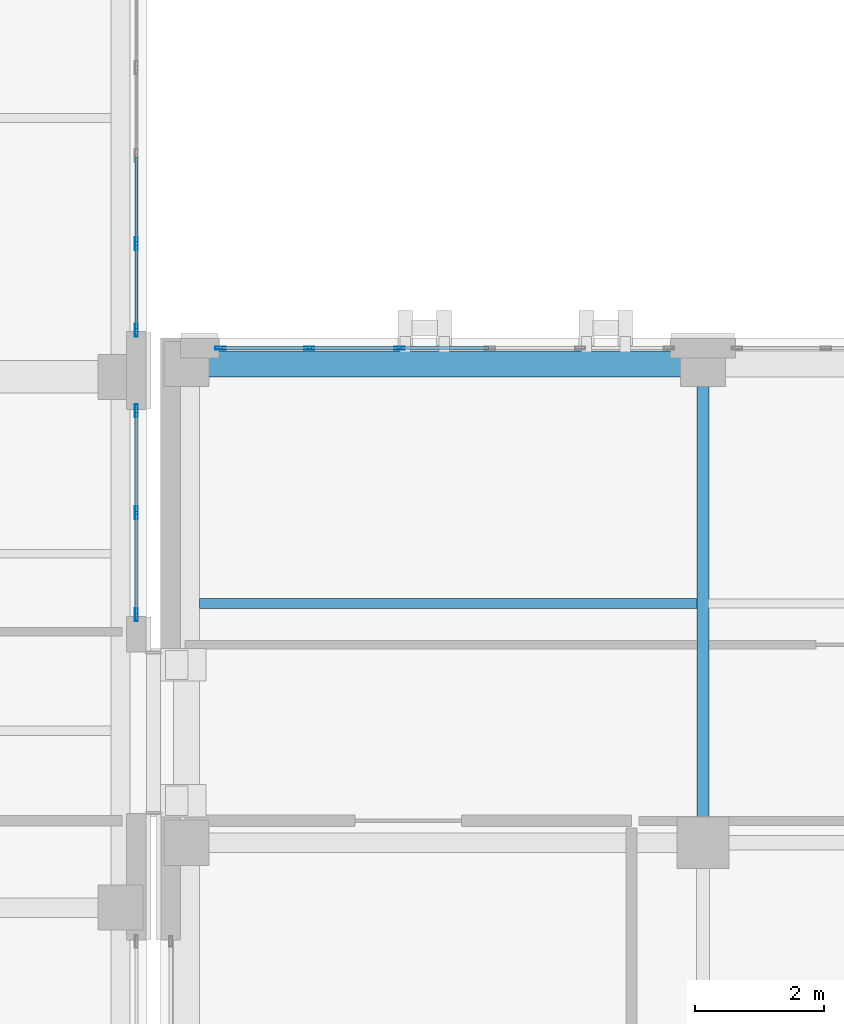
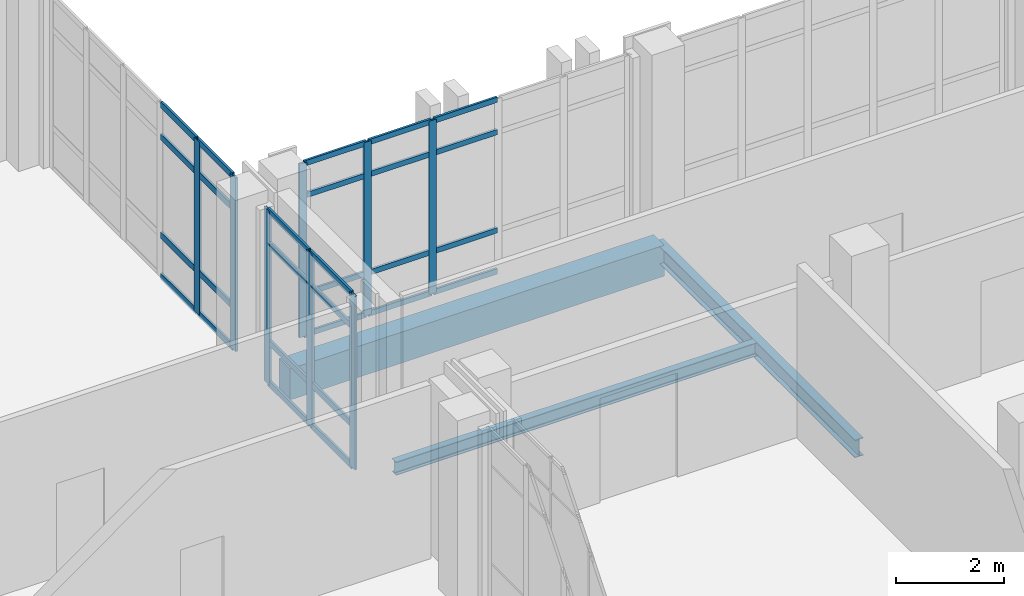
# One storey, part 53 of 193: 36 members, 3 beams, 3 elements without a shape of their own.
"""IFC4 building model written with IfcOpenShell, lengths in metres."""

import ifcopenshell
import ifcopenshell.guid

model = None  # the IFC model being written
_history = None  # IfcOwnerHistory: only IFC2X3 demands one
_inside = {}  # id of a spatial element -> (the spatial element, [elements in it])
_under = {}  # id of a project, library or spatial element -> (it, [spatial elements below it])
_declared = {}  # id of a project -> (the project, [libraries it declares])
_typed = {}  # id of a type object -> (the type object, [elements of that type])
_made_of = {}  # id of a material, layer set ... -> (it, [elements and type objects made of it])


def new_model(schema):
    """Start an empty IFC model of exactly this schema.

    Asked for "IFC4X3", IfcOpenShell would pick the latest addendum, in which some entities
    have other attributes; the version numbers below select the first issue.
    IFC2X3 requires an IfcOwnerHistory on every rooted entity: one is made here for all.
    """
    global model, _history
    if schema == "IFC4X3":
        model = ifcopenshell.file(schema_version=(4, 3, 0, 0))
    else:
        model = ifcopenshell.file(schema=schema)
    _inside.clear()
    _under.clear()
    _declared.clear()
    _typed.clear()
    _made_of.clear()
    _history = None
    if model.schema == "IFC2X3":
        org = make("IfcOrganization", Name="unknown")
        user = make(
            "IfcPersonAndOrganization",
            ThePerson=make("IfcPerson", FamilyName="unknown"),
            TheOrganization=org,
        )
        app = make(
            "IfcApplication",
            ApplicationDeveloper=org,
            Version="unknown",
            ApplicationFullName="unknown",
            ApplicationIdentifier="unknown",
        )
        _history = make(
            "IfcOwnerHistory",
            OwningUser=user,
            OwningApplication=app,
            ChangeAction="ADDED",
            CreationDate=0,
        )
    return model


def make(cls, **values):
    """One entity of the class cls with the attributes given. An attribute that is None is left unset."""
    return model.create_entity(
        cls, **{name: value for name, value in values.items() if value is not None}
    )


def rooted(cls, **values):
    """An entity with a GlobalId (a new one), such as an element, a storey or a relation."""
    return make(cls, GlobalId=ifcopenshell.guid.new(), OwnerHistory=_history, **values)


def si_unit(unit_type, name, prefix=None):
    """IfcSIUnit, for example si_unit("LENGTHUNIT", "METRE", prefix="MILLI")."""
    return make("IfcSIUnit", UnitType=unit_type, Prefix=prefix, Name=name)


def assignment(units):
    """IfcUnitAssignment: the units of a project."""
    return None if units is None else make("IfcUnitAssignment", Units=units)


def point(xyz):
    """IfcCartesianPoint."""
    return None if xyz is None else make("IfcCartesianPoint", Coordinates=xyz)


def direction(xyz):
    """IfcDirection."""
    return None if xyz is None else make("IfcDirection", DirectionRatios=xyz)


def frame(location, z_axis=None, x_axis=None):
    """IfcAxis2Placement3D, a coordinate frame: its origin and axes. An axis left out is left unset."""
    return make(
        "IfcAxis2Placement3D",
        Location=point(location),
        Axis=direction(z_axis),
        RefDirection=direction(x_axis),
    )


def frame_2d(location, x_axis=None):
    """IfcAxis2Placement2D, a coordinate frame in the plane: its origin and x axis."""
    return make(
        "IfcAxis2Placement2D", Location=point(location), RefDirection=direction(x_axis)
    )


def origin():
    """The frame at (0, 0, 0) with its axes left unset."""
    return frame((0.0, 0.0, 0.0))


def origin_2d():
    """The frame at (0, 0) in the plane with its x axis left unset."""
    return frame_2d((0.0, 0.0))


def place(relative_to, where):
    """IfcLocalPlacement: puts the frame where relative to a parent placement (None: the world)."""
    return make(
        "IfcLocalPlacement", PlacementRelTo=relative_to, RelativePlacement=where
    )


def context(
    kind, dimensions, precision=None, world=None, true_north=None, identifier=None
):
    """IfcGeometricRepresentationContext, for example the 3D "Model" context."""
    return make(
        "IfcGeometricRepresentationContext",
        ContextIdentifier=identifier,
        ContextType=kind,
        CoordinateSpaceDimension=dimensions,
        Precision=precision,
        WorldCoordinateSystem=world,
        TrueNorth=true_north,
    )


def subcontext(parent, identifier, kind, view, scale=None):
    """IfcGeometricRepresentationSubContext, for example "Body" below "Model"."""
    return make(
        "IfcGeometricRepresentationSubContext",
        ContextIdentifier=identifier,
        ContextType=kind,
        ParentContext=parent,
        TargetScale=scale,
        TargetView=view,
    )


def project(units=None, contexts=None):
    """IfcProject with its units and contexts."""
    return rooted(
        "IfcProject",
        Name="project",
        RepresentationContexts=contexts,
        UnitsInContext=assignment(units),
    )


def spatial(cls, under=None, at=None, **own):
    """A site, building, storey or space (cls), placed at a placement, below another one or the project."""
    s = rooted(cls, ObjectPlacement=at, **own)
    if under is not None:
        _under.setdefault(under.id(), (under, []))[1].append(s)
    return s


def profile(cls, at=None, kind="AREA", **sizes):
    """A parametric profile (cls). Its sizes go by their IFC names, for example OverallWidth=200.0."""
    return make(cls, ProfileType=kind, Position=at, **sizes)


def rectangle(**sizes):
    """IfcRectangleProfileDef."""
    return profile("IfcRectangleProfileDef", **sizes)


def hollow_rectangle(**sizes):
    """IfcRectangleHollowProfileDef."""
    return profile("IfcRectangleHollowProfileDef", **sizes)


def i_section(**sizes):
    """IfcIShapeProfileDef."""
    return profile("IfcIShapeProfileDef", **sizes)


def extrude(swept, where, along, depth):
    """IfcExtrudedAreaSolid: the profile swept, set in the frame where, extruded along a direction by depth."""
    return make(
        "IfcExtrudedAreaSolid",
        SweptArea=swept,
        Position=where,
        ExtrudedDirection=direction(along),
        Depth=depth,
    )


def shape(context_of_items, identifier, shape_type, items):
    """IfcShapeRepresentation: the items that make up one representation, for example the "Body"."""
    return make(
        "IfcShapeRepresentation",
        ContextOfItems=context_of_items,
        RepresentationIdentifier=identifier,
        RepresentationType=shape_type,
        Items=items,
    )


def material(Name=None, Category=None):
    """IfcMaterial."""
    return make("IfcMaterial", Name=Name, Category=Category)


def layer(
    of_material, thickness, ventilated=None, Name=None, Category=None, Priority=None
):
    """IfcMaterialLayer: one layer of a wall or slab, of a material (None: an air gap)."""
    return make(
        "IfcMaterialLayer",
        Material=of_material,
        LayerThickness=thickness,
        IsVentilated=ventilated,
        Name=Name,
        Category=Category,
        Priority=Priority,
    )


def layer_set(layers, Name=None):
    """IfcMaterialLayerSet."""
    return make("IfcMaterialLayerSet", MaterialLayers=layers, LayerSetName=Name)


def material_profile(
    of_material, cross_section, Name=None, Category=None, Priority=None
):
    """IfcMaterialProfile: a cross section and its material."""
    return make(
        "IfcMaterialProfile",
        Name=Name,
        Material=of_material,
        Profile=cross_section,
        Priority=Priority,
        Category=Category,
    )


def profile_set(profiles, Name=None, composite=None):
    """IfcMaterialProfileSet."""
    return make(
        "IfcMaterialProfileSet",
        Name=Name,
        MaterialProfiles=profiles,
        CompositeProfile=composite,
    )


def made_of(thing, what):
    """Note that an element or type object is made of a material, layer set ...; save() writes the relation."""
    if what is not None:
        _made_of.setdefault(what.id(), (what, []))[1].append(thing)
    return thing


def type_object(cls, material=None, **own):
    """A type object (cls), such as IfcWallType, which elements share."""
    return made_of(rooted(cls, **own), material)


def element(
    cls,
    number,
    at=None,
    inside=None,
    cuts=None,
    type_object=None,
    material=None,
    context=None,
    identifier="Body",
    shape_type=None,
    held_by="IfcProductDefinitionShape",
    body=None,
    shapes=None,
    **own,
):
    """One element of the class cls, such as IfcWall. Its Tag is "e" and its number.

    at: its placement. inside: the storey or other place that contains it. cuts: it is an
    opening in that element (IfcRelVoidsElement). A single representation is given by context,
    identifier, shape_type and body (its items); several are given by shapes. held_by: the class
    of the entity that holds the representations. save() writes the other relations.
    """
    e = rooted(cls, Tag="e%d" % number, ObjectPlacement=at, **own)
    if body is not None:
        shapes = [shape(context, identifier, shape_type, body)]
    if shapes is not None:
        e.Representation = make(held_by, Representations=shapes)
    if inside is not None:
        _inside.setdefault(inside.id(), (inside, []))[1].append(e)
    if cuts is not None:
        rooted(
            "IfcRelVoidsElement", RelatingBuildingElement=cuts, RelatedOpeningElement=e
        )
    if type_object is not None:
        _typed.setdefault(type_object.id(), (type_object, []))[1].append(e)
    return made_of(e, material)


def aggregate(whole, parts):
    """IfcRelAggregates: a whole, such as a stair, and the parts it consists of."""
    return rooted("IfcRelAggregates", RelatingObject=whole, RelatedObjects=parts)


def save(model, path):
    """Write the relations noted so far, then the file.

    IfcRelAggregates (storeys below a building ...), IfcRelContainedInSpatialStructure (elements
    in a storey), IfcRelDefinesByType, IfcRelAssociatesMaterial and IfcRelDeclares: one each for
    every whole, place, type object, material and project.
    """
    for whole, parts in _under.values():
        aggregate(whole, parts)
    for where, things in _inside.values():
        rooted(
            "IfcRelContainedInSpatialStructure",
            RelatedElements=things,
            RelatingStructure=where,
        )
    for kind, things in _typed.values():
        rooted("IfcRelDefinesByType", RelatedObjects=things, RelatingType=kind)
    for what, things in _made_of.values():
        rooted("IfcRelAssociatesMaterial", RelatedObjects=things, RelatingMaterial=what)
    for by, libraries in _declared.values():
        rooted("IfcRelDeclares", RelatingContext=by, RelatedDefinitions=libraries)
    model.write(path)


model = new_model("IFC4")

# Units and contexts
model_context = context("Model", 3, precision=1e-05, world=origin(), true_north=direction((0.0, 1.0)))
body_context = subcontext(model_context, "Body", "Model", "MODEL_VIEW")
ifc_project = project(units=[si_unit("LENGTHUNIT", "METRE"), si_unit("AREAUNIT", "SQUARE_METRE"), si_unit("VOLUMEUNIT", "CUBIC_METRE"), si_unit("PLANEANGLEUNIT", "RADIAN"), si_unit("MASSUNIT", "GRAM", prefix="KILO")], contexts=[model_context])

# Site, building, storey
site_placement = place(None, origin())
site = spatial("IfcSite", under=ifc_project, at=site_placement, CompositionType="ELEMENT")
building_placement = place(site_placement, origin())
building = spatial("IfcBuilding", under=site, at=building_placement, Name="Qalavern Law Courts", CompositionType="ELEMENT")
storey_placement = place(building_placement, frame((0.0, 0.0, 10.199951171875)))
storey = spatial("IfcBuildingStorey", under=building, at=storey_placement, Name="L02", CompositionType="ELEMENT", Elevation=10.199951171875)

# Curtain wall, members
ifc_material_1 = material(Name="Anodised aluminium and insulated glazing", Category="aluminium")
ifc_layer_1 = layer(ifc_material_1, 0.172119140625)
ifc_layer_set_1 = layer_set([ifc_layer_1], Name="Anodised aluminium and insulated glazing")
curtain_wall_type_1 = type_object("IfcCurtainWallType", Name="ENV-CW-COURT", PredefinedType="USERDEFINED", material=ifc_layer_set_1)
curtain_wall_1_placement = place(storey_placement, origin())
curtain_wall_1 = element("IfcCurtainWall", 1, at=curtain_wall_1_placement, inside=storey, type_object=curtain_wall_type_1, Name="V6 unitised curtain wall L02 north 8", ObjectType="UNITISED CURTAIN WALL", PredefinedType="USERDEFINED")
ifc_material_2 = material(Name="Anodised aluminium", Category="aluminium")
ifc_material_profile_1 = material_profile(ifc_material_2, hollow_rectangle(XDim=0.048095703125, YDim=0.159912109375, WallThickness=0.00390625, at=origin_2d()), Name="ALU MULLION 48x160")
ifc_profile_set_1 = profile_set([ifc_material_profile_1], Name="Anodised aluminium")
member_type_1 = type_object("IfcMemberType", Name="ENV-CWM-48x160", PredefinedType="MULLION", material=ifc_profile_set_1)
member_1_placement = place(storey_placement, frame((105.112060546875, 22.445068359375, 0.0), z_axis=(0.0, 0.0, 1.0), x_axis=(0.0, -1.0, 0.0)))
member_1 = element("IfcMember", 2, at=member_1_placement, type_object=member_type_1, Name="CW-03 mullion 4", PredefinedType="MULLION", context=body_context, shape_type="SweptSolid", body=[
    extrude(hollow_rectangle(XDim=0.048095703125, YDim=0.159912109375, WallThickness=0.00390625, at=origin_2d()), origin(), (0.0, 0.0, 1.0), 3.9150390625),
])
member_2_placement = place(storey_placement, frame((103.716064453125, 22.445068359375, 0.0), z_axis=(0.0, 0.0, 1.0), x_axis=(0.0, -1.0, 0.0)))
member_2 = element("IfcMember", 3, at=member_2_placement, type_object=member_type_1, Name="CW-03 mullion 5", PredefinedType="MULLION", context=body_context, shape_type="SweptSolid", body=[
    extrude(hollow_rectangle(XDim=0.048095703125, YDim=0.159912109375, WallThickness=0.00390625, at=origin_2d()), origin(), (0.0, 0.0, 1.0), 3.9150390625),
])
member_3_placement = place(storey_placement, frame((102.343994140625, 22.445068359375, 0.0), z_axis=(0.0, 0.0, 1.0), x_axis=(0.0, -1.0, 0.0)))
member_3 = element("IfcMember", 4, at=member_3_placement, type_object=member_type_1, Name="CW-03 mullion 6", PredefinedType="MULLION", context=body_context, shape_type="SweptSolid", body=[
    extrude(hollow_rectangle(XDim=0.048095703125, YDim=0.159912109375, WallThickness=0.00390625, at=origin_2d()), origin(), (0.0, 0.0, 1.0), 3.9150390625),
])

ifc_layer_2 = layer(ifc_material_1, 0.18505859375)
ifc_layer_set_2 = layer_set([ifc_layer_2], Name="Anodised aluminium and insulated glazing")
curtain_wall_type_2 = type_object("IfcCurtainWallType", Name="ENV-CW-HALL", PredefinedType="USERDEFINED", material=ifc_layer_set_2)
curtain_wall_2_placement = place(storey_placement, origin())
curtain_wall_2 = element("IfcCurtainWall", 5, at=curtain_wall_2_placement, inside=storey, type_object=curtain_wall_type_2, Name="V2 unitised curtain wall L02 east 1", ObjectType="UNITISED CURTAIN WALL", PredefinedType="USERDEFINED")
ifc_material_profile_2 = material_profile(ifc_material_2, hollow_rectangle(XDim=0.048095703125, YDim=0.199951171875, WallThickness=0.00439453125, at=origin_2d()), Name="ALU MULLION 48x200")
ifc_profile_set_2 = profile_set([ifc_material_profile_2], Name="Anodised aluminium")
member_type_2 = type_object("IfcMemberType", Name="ENV-CWM-48x200", PredefinedType="MULLION", material=ifc_profile_set_2)
member_4_placement = place(storey_placement, frame((101.044921875, 18.323974609375, 0.0), z_axis=(0.0, 0.0, 1.0), x_axis=(-1.0, 0.0, 0.0)))
member_4 = element("IfcMember", 6, at=member_4_placement, type_object=member_type_2, Name="CW-02 mullion 1", PredefinedType="MULLION", context=body_context, shape_type="SweptSolid", body=[
    extrude(hollow_rectangle(XDim=0.048095703125, YDim=0.199951171875, WallThickness=0.00439453125, at=origin_2d()), origin(), (0.0, 0.0, 1.0), 3.9150390625),
])
member_5_placement = place(storey_placement, frame((101.044921875, 19.89990234375, 0.0), z_axis=(0.0, 0.0, 1.0), x_axis=(-1.0, 0.0, 0.0)))
member_5 = element("IfcMember", 7, at=member_5_placement, type_object=member_type_2, Name="CW-02 mullion 2", PredefinedType="MULLION", context=body_context, shape_type="SweptSolid", body=[
    extrude(hollow_rectangle(XDim=0.048095703125, YDim=0.199951171875, WallThickness=0.00439453125, at=origin_2d()), origin(), (0.0, 0.0, 1.0), 3.9150390625),
])
member_6_placement = place(storey_placement, frame((101.044921875, 21.47607421875, 0.0), z_axis=(0.0, 0.0, 1.0), x_axis=(-1.0, 0.0, 0.0)))
member_6 = element("IfcMember", 8, at=member_6_placement, type_object=member_type_2, Name="CW-02 mullion 3", PredefinedType="MULLION", context=body_context, shape_type="SweptSolid", body=[
    extrude(hollow_rectangle(XDim=0.048095703125, YDim=0.199951171875, WallThickness=0.00439453125, at=origin_2d()), origin(), (0.0, 0.0, 1.0), 3.9150390625),
])

curtain_wall_3_placement = place(storey_placement, origin())
curtain_wall_3 = element("IfcCurtainWall", 9, at=curtain_wall_3_placement, inside=storey, type_object=curtain_wall_type_2, Name="V2 unitised curtain wall L02 east 2", ObjectType="UNITISED CURTAIN WALL", PredefinedType="USERDEFINED")
member_7_placement = place(storey_placement, frame((101.044921875, 22.72412109375, 0.0), z_axis=(0.0, 0.0, 1.0), x_axis=(-1.0, 0.0, 0.0)))
member_7 = element("IfcMember", 10, at=member_7_placement, type_object=member_type_2, Name="CW-02 mullion 1", PredefinedType="MULLION", context=body_context, shape_type="SweptSolid", body=[
    extrude(hollow_rectangle(XDim=0.048095703125, YDim=0.199951171875, WallThickness=0.00439453125, at=origin_2d()), origin(), (0.0, 0.0, 1.0), 3.9150390625),
])
member_8_placement = place(storey_placement, frame((101.044921875, 24.06005859375, 0.0), z_axis=(0.0, 0.0, 1.0), x_axis=(-1.0, 0.0, 0.0)))
member_8 = element("IfcMember", 11, at=member_8_placement, type_object=member_type_2, Name="CW-02 mullion 2", PredefinedType="MULLION", context=body_context, shape_type="SweptSolid", body=[
    extrude(hollow_rectangle(XDim=0.048095703125, YDim=0.199951171875, WallThickness=0.00439453125, at=origin_2d()), origin(), (0.0, 0.0, 1.0), 3.9150390625),
])

# Member
ifc_material_profile_3 = material_profile(ifc_material_2, hollow_rectangle(XDim=0.048095703125, YDim=0.1201171875, WallThickness=0.00390625, at=origin_2d()), Name="ALU TRANSOM 48x120")
ifc_profile_set_3 = profile_set([ifc_material_profile_3], Name="Anodised aluminium")
member_type_3 = type_object("IfcMemberType", Name="ENV-CWT-48x120", PredefinedType="USERDEFINED", material=ifc_profile_set_3)
member_9_placement = place(storey_placement, frame((106.48388671875, 22.445068359375, 0.024169921875), z_axis=(-1.0, 0.0, 0.0), x_axis=(0.0, -1.0, 0.0)))
member_9 = element("IfcMember", 12, at=member_9_placement, type_object=member_type_3, Name="CW-03 transom 3.1", ObjectType="TRANSOM", PredefinedType="USERDEFINED", context=body_context, shape_type="SweptSolid", body=[
    extrude(hollow_rectangle(XDim=0.048095703125, YDim=0.1201171875, WallThickness=0.00390625, at=origin_2d()), origin(), (0.0, 0.0, 1.0), 1.347900390625),
])

member_10_placement = place(storey_placement, frame((106.48388671875, 22.445068359375, 0.949951171875), z_axis=(-1.0, 0.0, 0.0), x_axis=(0.0, -1.0, 0.0)))
member_10 = element("IfcMember", 13, at=member_10_placement, type_object=member_type_3, Name="CW-03 transom 3.2", ObjectType="TRANSOM", PredefinedType="USERDEFINED", context=body_context, shape_type="SweptSolid", body=[
    extrude(hollow_rectangle(XDim=0.048095703125, YDim=0.1201171875, WallThickness=0.00390625, at=origin_2d()), origin(), (0.0, 0.0, 1.0), 1.347900390625),
])

member_11_placement = place(storey_placement, frame((106.48388671875, 22.445068359375, 3.1650390625), z_axis=(-1.0, 0.0, 0.0), x_axis=(0.0, -1.0, 0.0)))
member_11 = element("IfcMember", 14, at=member_11_placement, type_object=member_type_3, Name="CW-03 transom 3.3", ObjectType="TRANSOM", PredefinedType="USERDEFINED", context=body_context, shape_type="SweptSolid", body=[
    extrude(hollow_rectangle(XDim=0.048095703125, YDim=0.1201171875, WallThickness=0.00390625, at=origin_2d()), origin(), (0.0, 0.0, 1.0), 1.347900390625),
])

member_12_placement = place(storey_placement, frame((106.48388671875, 22.445068359375, 3.89111328125), z_axis=(-1.0, 0.0, 0.0), x_axis=(0.0, -1.0, 0.0)))
member_12 = element("IfcMember", 15, at=member_12_placement, type_object=member_type_3, Name="CW-03 transom 3.4", ObjectType="TRANSOM", PredefinedType="USERDEFINED", context=body_context, shape_type="SweptSolid", body=[
    extrude(hollow_rectangle(XDim=0.048095703125, YDim=0.1201171875, WallThickness=0.00390625, at=origin_2d()), origin(), (0.0, 0.0, 1.0), 1.347900390625),
])

member_13_placement = place(storey_placement, frame((105.087890625, 22.445068359375, 0.024169921875), z_axis=(-1.0, 0.0, 0.0), x_axis=(0.0, -1.0, 0.0)))
member_13 = element("IfcMember", 16, at=member_13_placement, type_object=member_type_3, Name="CW-03 transom 4.1", ObjectType="TRANSOM", PredefinedType="USERDEFINED", context=body_context, shape_type="SweptSolid", body=[
    extrude(hollow_rectangle(XDim=0.048095703125, YDim=0.1201171875, WallThickness=0.00390625, at=origin_2d()), origin(), (0.0, 0.0, 1.0), 1.347900390625),
])

member_14_placement = place(storey_placement, frame((105.087890625, 22.445068359375, 0.949951171875), z_axis=(-1.0, 0.0, 0.0), x_axis=(0.0, -1.0, 0.0)))
member_14 = element("IfcMember", 17, at=member_14_placement, type_object=member_type_3, Name="CW-03 transom 4.2", ObjectType="TRANSOM", PredefinedType="USERDEFINED", context=body_context, shape_type="SweptSolid", body=[
    extrude(hollow_rectangle(XDim=0.048095703125, YDim=0.1201171875, WallThickness=0.00390625, at=origin_2d()), origin(), (0.0, 0.0, 1.0), 1.347900390625),
])

member_15_placement = place(storey_placement, frame((105.087890625, 22.445068359375, 3.1650390625), z_axis=(-1.0, 0.0, 0.0), x_axis=(0.0, -1.0, 0.0)))
member_15 = element("IfcMember", 18, at=member_15_placement, type_object=member_type_3, Name="CW-03 transom 4.3", ObjectType="TRANSOM", PredefinedType="USERDEFINED", context=body_context, shape_type="SweptSolid", body=[
    extrude(hollow_rectangle(XDim=0.048095703125, YDim=0.1201171875, WallThickness=0.00390625, at=origin_2d()), origin(), (0.0, 0.0, 1.0), 1.347900390625),
])

member_16_placement = place(storey_placement, frame((105.087890625, 22.445068359375, 3.89111328125), z_axis=(-1.0, 0.0, 0.0), x_axis=(0.0, -1.0, 0.0)))
member_16 = element("IfcMember", 19, at=member_16_placement, type_object=member_type_3, Name="CW-03 transom 4.4", ObjectType="TRANSOM", PredefinedType="USERDEFINED", context=body_context, shape_type="SweptSolid", body=[
    extrude(hollow_rectangle(XDim=0.048095703125, YDim=0.1201171875, WallThickness=0.00390625, at=origin_2d()), origin(), (0.0, 0.0, 1.0), 1.347900390625),
])

member_17_placement = place(storey_placement, frame((103.69189453125, 22.445068359375, 0.024169921875), z_axis=(-1.0, 0.0, 0.0), x_axis=(0.0, -1.0, 0.0)))
member_17 = element("IfcMember", 20, at=member_17_placement, type_object=member_type_3, Name="CW-03 transom 5.1", ObjectType="TRANSOM", PredefinedType="USERDEFINED", context=body_context, shape_type="SweptSolid", body=[
    extrude(hollow_rectangle(XDim=0.048095703125, YDim=0.1201171875, WallThickness=0.00390625, at=origin_2d()), origin(), (0.0, 0.0, 1.0), 1.323974609375),
])

member_18_placement = place(storey_placement, frame((103.69189453125, 22.445068359375, 0.949951171875), z_axis=(-1.0, 0.0, 0.0), x_axis=(0.0, -1.0, 0.0)))
member_18 = element("IfcMember", 21, at=member_18_placement, type_object=member_type_3, Name="CW-03 transom 5.2", ObjectType="TRANSOM", PredefinedType="USERDEFINED", context=body_context, shape_type="SweptSolid", body=[
    extrude(hollow_rectangle(XDim=0.048095703125, YDim=0.1201171875, WallThickness=0.00390625, at=origin_2d()), origin(), (0.0, 0.0, 1.0), 1.323974609375),
])

member_19_placement = place(storey_placement, frame((103.69189453125, 22.445068359375, 3.1650390625), z_axis=(-1.0, 0.0, 0.0), x_axis=(0.0, -1.0, 0.0)))
member_19 = element("IfcMember", 22, at=member_19_placement, type_object=member_type_3, Name="CW-03 transom 5.3", ObjectType="TRANSOM", PredefinedType="USERDEFINED", context=body_context, shape_type="SweptSolid", body=[
    extrude(hollow_rectangle(XDim=0.048095703125, YDim=0.1201171875, WallThickness=0.00390625, at=origin_2d()), origin(), (0.0, 0.0, 1.0), 1.323974609375),
])

member_20_placement = place(storey_placement, frame((103.69189453125, 22.445068359375, 3.89111328125), z_axis=(-1.0, 0.0, 0.0), x_axis=(0.0, -1.0, 0.0)))
member_20 = element("IfcMember", 23, at=member_20_placement, type_object=member_type_3, Name="CW-03 transom 5.4", ObjectType="TRANSOM", PredefinedType="USERDEFINED", context=body_context, shape_type="SweptSolid", body=[
    extrude(hollow_rectangle(XDim=0.048095703125, YDim=0.1201171875, WallThickness=0.00390625, at=origin_2d()), origin(), (0.0, 0.0, 1.0), 1.323974609375),
])

aggregate(curtain_wall_1, [member_1, member_2, member_3, member_9, member_10, member_11, member_12, member_13, member_14, member_15, member_16, member_17, member_18, member_19, member_20])

ifc_material_profile_4 = material_profile(ifc_material_2, hollow_rectangle(XDim=0.048095703125, YDim=0.139892578125, WallThickness=0.00390625, at=origin_2d()), Name="ALU TRANSOM 48x140")
ifc_profile_set_4 = profile_set([ifc_material_profile_4], Name="Anodised aluminium")
member_type_4 = type_object("IfcMemberType", Name="ENV-CWT-48x140", PredefinedType="USERDEFINED", material=ifc_profile_set_4)
member_21_placement = place(storey_placement, frame((101.044921875, 18.347900390625, 0.024169921875), z_axis=(0.0, 1.0, 0.0), x_axis=(-1.0, 0.0, 0.0)))
member_21 = element("IfcMember", 24, at=member_21_placement, type_object=member_type_4, Name="CW-02 transom 1.1", ObjectType="TRANSOM", PredefinedType="USERDEFINED", context=body_context, shape_type="SweptSolid", body=[
    extrude(hollow_rectangle(XDim=0.048095703125, YDim=0.139892578125, WallThickness=0.00390625, at=origin_2d()), origin(), (0.0, 0.0, 1.0), 1.528076171875),
])

member_22_placement = place(storey_placement, frame((101.044921875, 18.347900390625, 0.949951171875), z_axis=(0.0, 1.0, 0.0), x_axis=(-1.0, 0.0, 0.0)))
member_22 = element("IfcMember", 25, at=member_22_placement, type_object=member_type_4, Name="CW-02 transom 1.2", ObjectType="TRANSOM", PredefinedType="USERDEFINED", context=body_context, shape_type="SweptSolid", body=[
    extrude(hollow_rectangle(XDim=0.048095703125, YDim=0.139892578125, WallThickness=0.00390625, at=origin_2d()), origin(), (0.0, 0.0, 1.0), 1.528076171875),
])

member_23_placement = place(storey_placement, frame((101.044921875, 18.347900390625, 3.1650390625), z_axis=(0.0, 1.0, 0.0), x_axis=(-1.0, 0.0, 0.0)))
member_23 = element("IfcMember", 26, at=member_23_placement, type_object=member_type_4, Name="CW-02 transom 1.3", ObjectType="TRANSOM", PredefinedType="USERDEFINED", context=body_context, shape_type="SweptSolid", body=[
    extrude(hollow_rectangle(XDim=0.048095703125, YDim=0.139892578125, WallThickness=0.00390625, at=origin_2d()), origin(), (0.0, 0.0, 1.0), 1.528076171875),
])

member_24_placement = place(storey_placement, frame((101.044921875, 18.347900390625, 3.89111328125), z_axis=(0.0, 1.0, 0.0), x_axis=(-1.0, 0.0, 0.0)))
member_24 = element("IfcMember", 27, at=member_24_placement, type_object=member_type_4, Name="CW-02 transom 1.4", ObjectType="TRANSOM", PredefinedType="USERDEFINED", context=body_context, shape_type="SweptSolid", body=[
    extrude(hollow_rectangle(XDim=0.048095703125, YDim=0.139892578125, WallThickness=0.00390625, at=origin_2d()), origin(), (0.0, 0.0, 1.0), 1.528076171875),
])

member_25_placement = place(storey_placement, frame((101.044921875, 19.924072265625, 0.024169921875), z_axis=(0.0, 1.0, 0.0), x_axis=(-1.0, 0.0, 0.0)))
member_25 = element("IfcMember", 28, at=member_25_placement, type_object=member_type_4, Name="CW-02 transom 2.1", ObjectType="TRANSOM", PredefinedType="USERDEFINED", context=body_context, shape_type="SweptSolid", body=[
    extrude(hollow_rectangle(XDim=0.048095703125, YDim=0.139892578125, WallThickness=0.00390625, at=origin_2d()), origin(), (0.0, 0.0, 1.0), 1.52783203125),
])

member_26_placement = place(storey_placement, frame((101.044921875, 19.924072265625, 0.949951171875), z_axis=(0.0, 1.0, 0.0), x_axis=(-1.0, 0.0, 0.0)))
member_26 = element("IfcMember", 29, at=member_26_placement, type_object=member_type_4, Name="CW-02 transom 2.2", ObjectType="TRANSOM", PredefinedType="USERDEFINED", context=body_context, shape_type="SweptSolid", body=[
    extrude(hollow_rectangle(XDim=0.048095703125, YDim=0.139892578125, WallThickness=0.00390625, at=origin_2d()), origin(), (0.0, 0.0, 1.0), 1.52783203125),
])

member_27_placement = place(storey_placement, frame((101.044921875, 19.924072265625, 3.1650390625), z_axis=(0.0, 1.0, 0.0), x_axis=(-1.0, 0.0, 0.0)))
member_27 = element("IfcMember", 30, at=member_27_placement, type_object=member_type_4, Name="CW-02 transom 2.3", ObjectType="TRANSOM", PredefinedType="USERDEFINED", context=body_context, shape_type="SweptSolid", body=[
    extrude(hollow_rectangle(XDim=0.048095703125, YDim=0.139892578125, WallThickness=0.00390625, at=origin_2d()), origin(), (0.0, 0.0, 1.0), 1.52783203125),
])

member_28_placement = place(storey_placement, frame((101.044921875, 19.924072265625, 3.89111328125), z_axis=(0.0, 1.0, 0.0), x_axis=(-1.0, 0.0, 0.0)))
member_28 = element("IfcMember", 31, at=member_28_placement, type_object=member_type_4, Name="CW-02 transom 2.4", ObjectType="TRANSOM", PredefinedType="USERDEFINED", context=body_context, shape_type="SweptSolid", body=[
    extrude(hollow_rectangle(XDim=0.048095703125, YDim=0.139892578125, WallThickness=0.00390625, at=origin_2d()), origin(), (0.0, 0.0, 1.0), 1.52783203125),
])

aggregate(curtain_wall_2, [member_4, member_5, member_6, member_21, member_22, member_23, member_24, member_25, member_26, member_27, member_28])

member_29_placement = place(storey_placement, frame((101.044921875, 22.748046875, 0.024169921875), z_axis=(0.0, 1.0, 0.0), x_axis=(-1.0, 0.0, 0.0)))
member_29 = element("IfcMember", 32, at=member_29_placement, type_object=member_type_4, Name="CW-02 transom 1.1", ObjectType="TRANSOM", PredefinedType="USERDEFINED", context=body_context, shape_type="SweptSolid", body=[
    extrude(hollow_rectangle(XDim=0.048095703125, YDim=0.139892578125, WallThickness=0.00390625, at=origin_2d()), origin(), (0.0, 0.0, 1.0), 1.287841796875),
])

member_30_placement = place(storey_placement, frame((101.044921875, 22.748046875, 0.949951171875), z_axis=(0.0, 1.0, 0.0), x_axis=(-1.0, 0.0, 0.0)))
member_30 = element("IfcMember", 33, at=member_30_placement, type_object=member_type_4, Name="CW-02 transom 1.2", ObjectType="TRANSOM", PredefinedType="USERDEFINED", context=body_context, shape_type="SweptSolid", body=[
    extrude(hollow_rectangle(XDim=0.048095703125, YDim=0.139892578125, WallThickness=0.00390625, at=origin_2d()), origin(), (0.0, 0.0, 1.0), 1.287841796875),
])

member_31_placement = place(storey_placement, frame((101.044921875, 22.748046875, 3.1650390625), z_axis=(0.0, 1.0, 0.0), x_axis=(-1.0, 0.0, 0.0)))
member_31 = element("IfcMember", 34, at=member_31_placement, type_object=member_type_4, Name="CW-02 transom 1.3", ObjectType="TRANSOM", PredefinedType="USERDEFINED", context=body_context, shape_type="SweptSolid", body=[
    extrude(hollow_rectangle(XDim=0.048095703125, YDim=0.139892578125, WallThickness=0.00390625, at=origin_2d()), origin(), (0.0, 0.0, 1.0), 1.287841796875),
])

member_32_placement = place(storey_placement, frame((101.044921875, 22.748046875, 3.89111328125), z_axis=(0.0, 1.0, 0.0), x_axis=(-1.0, 0.0, 0.0)))
member_32 = element("IfcMember", 35, at=member_32_placement, type_object=member_type_4, Name="CW-02 transom 1.4", ObjectType="TRANSOM", PredefinedType="USERDEFINED", context=body_context, shape_type="SweptSolid", body=[
    extrude(hollow_rectangle(XDim=0.048095703125, YDim=0.139892578125, WallThickness=0.00390625, at=origin_2d()), origin(), (0.0, 0.0, 1.0), 1.287841796875),
])

member_33_placement = place(storey_placement, frame((101.044921875, 24.083984375, 0.024169921875), z_axis=(0.0, 1.0, 0.0), x_axis=(-1.0, 0.0, 0.0)))
member_33 = element("IfcMember", 36, at=member_33_placement, type_object=member_type_4, Name="CW-02 transom 2.1", ObjectType="TRANSOM", PredefinedType="USERDEFINED", context=body_context, shape_type="SweptSolid", body=[
    extrude(hollow_rectangle(XDim=0.048095703125, YDim=0.139892578125, WallThickness=0.00390625, at=origin_2d()), origin(), (0.0, 0.0, 1.0), 1.31201171875),
])

member_34_placement = place(storey_placement, frame((101.044921875, 24.083984375, 0.949951171875), z_axis=(0.0, 1.0, 0.0), x_axis=(-1.0, 0.0, 0.0)))
member_34 = element("IfcMember", 37, at=member_34_placement, type_object=member_type_4, Name="CW-02 transom 2.2", ObjectType="TRANSOM", PredefinedType="USERDEFINED", context=body_context, shape_type="SweptSolid", body=[
    extrude(hollow_rectangle(XDim=0.048095703125, YDim=0.139892578125, WallThickness=0.00390625, at=origin_2d()), origin(), (0.0, 0.0, 1.0), 1.31201171875),
])

member_35_placement = place(storey_placement, frame((101.044921875, 24.083984375, 3.1650390625), z_axis=(0.0, 1.0, 0.0), x_axis=(-1.0, 0.0, 0.0)))
member_35 = element("IfcMember", 38, at=member_35_placement, type_object=member_type_4, Name="CW-02 transom 2.3", ObjectType="TRANSOM", PredefinedType="USERDEFINED", context=body_context, shape_type="SweptSolid", body=[
    extrude(hollow_rectangle(XDim=0.048095703125, YDim=0.139892578125, WallThickness=0.00390625, at=origin_2d()), origin(), (0.0, 0.0, 1.0), 1.31201171875),
])

member_36_placement = place(storey_placement, frame((101.044921875, 24.083984375, 3.89111328125), z_axis=(0.0, 1.0, 0.0), x_axis=(-1.0, 0.0, 0.0)))
member_36 = element("IfcMember", 39, at=member_36_placement, type_object=member_type_4, Name="CW-02 transom 2.4", ObjectType="TRANSOM", PredefinedType="USERDEFINED", context=body_context, shape_type="SweptSolid", body=[
    extrude(hollow_rectangle(XDim=0.048095703125, YDim=0.139892578125, WallThickness=0.00390625, at=origin_2d()), origin(), (0.0, 0.0, 1.0), 1.31201171875),
])

aggregate(curtain_wall_3, [member_7, member_8, member_29, member_30, member_31, member_32, member_33, member_34, member_35, member_36])

# Beams
ifc_material_3 = material(Name="Steel S355", Category="steel")
ifc_material_profile_5 = material_profile(ifc_material_3, i_section(OverallWidth=0.179931640625, OverallDepth=0.39990234375, WebThickness=0.008544921875, FlangeThickness=0.013427734375, FilletRadius=0.02099609375, at=origin_2d()), Name="IPE 400")
ifc_profile_set_5 = profile_set([ifc_material_profile_5], Name="Steel S355")
beam_type_1 = type_object("IfcBeamType", Name="STR-BM-IPE400", PredefinedType="BEAM", material=ifc_profile_set_5)
beam_1_placement = place(storey_placement, frame((109.800048828125, 14.800048828125, -0.489990234375), z_axis=(0.0, 1.0, 0.0), x_axis=(-1.0, 0.0, 0.0)))
element("IfcBeam", 40, at=beam_1_placement, inside=storey, type_object=beam_type_1, Name="V6 Y-beam 2-3 L02", PredefinedType="BEAM", context=body_context, shape_type="SweptSolid", body=[
    extrude(i_section(OverallWidth=0.179931640625, OverallDepth=0.39990234375, WebThickness=0.008544921875, FlangeThickness=0.013427734375, FilletRadius=0.02099609375, at=origin_2d()), origin(), (0.0, 0.0, 1.0), 7.39990234375),
])
ifc_material_profile_6 = material_profile(ifc_material_3, i_section(OverallWidth=0.14990234375, OverallDepth=0.300048828125, WebThickness=0.007080078125, FlangeThickness=0.0107421875, FilletRadius=0.014892578125, at=origin_2d()), Name="IPE 300")
ifc_profile_set_6 = profile_set([ifc_material_profile_6], Name="Steel S355")
beam_type_2 = type_object("IfcBeamType", Name="STR-JST-IPE300", PredefinedType="JOIST", material=ifc_profile_set_6)
beam_2_placement = place(storey_placement, frame((102.01806640625, 18.5, -0.43994140625), z_axis=(1.0, 0.0, 0.0), x_axis=(0.0, 1.0, 0.0)))
element("IfcBeam", 41, at=beam_2_placement, inside=storey, type_object=beam_type_2, Name="V6 secondary joist 1.3.1 L02", PredefinedType="JOIST", context=body_context, shape_type="SweptSolid", body=[
    extrude(i_section(OverallWidth=0.14990234375, OverallDepth=0.300048828125, WebThickness=0.007080078125, FlangeThickness=0.0107421875, FilletRadius=0.014892578125, at=origin_2d()), origin(), (0.0, 0.0, 1.0), 7.69384765625),
])
ifc_material_4 = material(Name="Concrete C40/50", Category="concrete")
ifc_material_profile_7 = material_profile(ifc_material_4, rectangle(XDim=0.39990234375, YDim=0.699951171875, at=origin_2d()), Name="RC 400x700")
ifc_profile_set_7 = profile_set([ifc_material_profile_7], Name="Concrete C40/50")
beam_type_3 = type_object("IfcBeamType", Name="STR-SP-RC400x700", PredefinedType="SPANDREL", material=ifc_profile_set_7)
beam_3_placement = place(storey_placement, frame((101.820068359375, 22.199951171875, -0.639892578125), z_axis=(1.0, 0.0, 0.0), x_axis=(0.0, 1.0, 0.0)))
element("IfcBeam", 42, at=beam_3_placement, inside=storey, type_object=beam_type_3, Name="V6 X-beam 4-1 L02", PredefinedType="SPANDREL", context=body_context, shape_type="SweptSolid", body=[
    extrude(rectangle(XDim=0.39990234375, YDim=0.699951171875, at=origin_2d()), origin(), (0.0, 0.0, 1.0), 7.97998046875),
])

save(model, "model.ifc")
